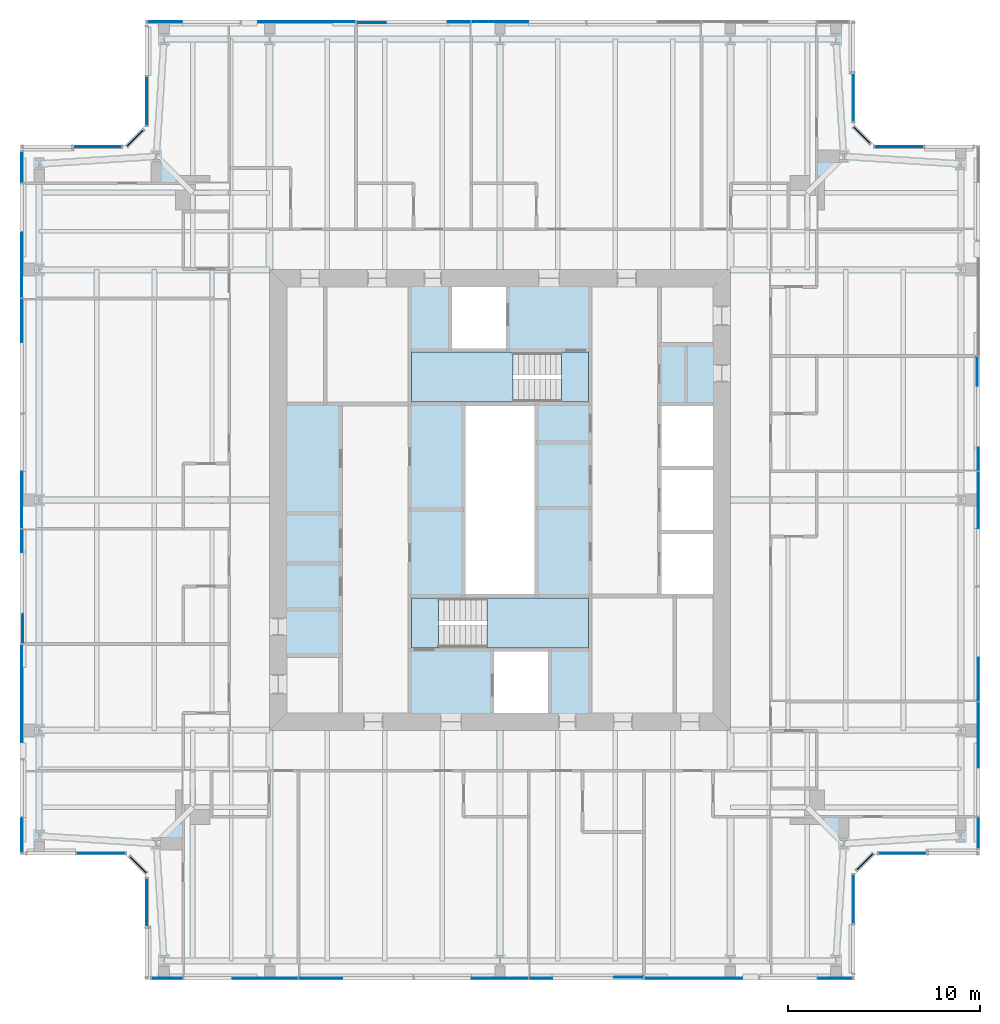
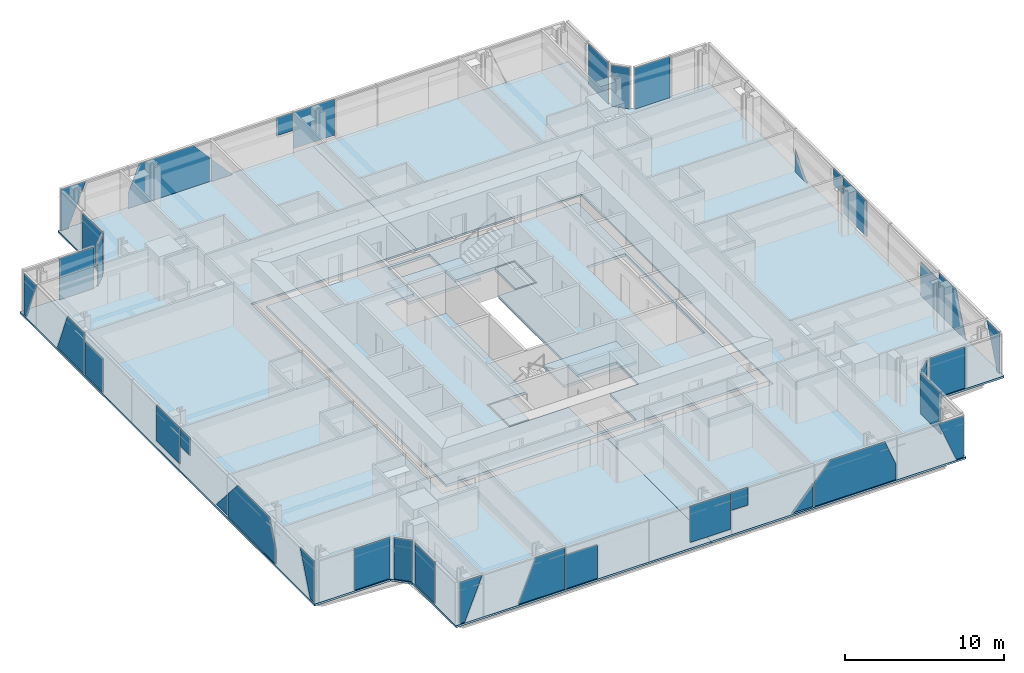
# One storey, part 10 of 20: 39 plates, 7 slabs, 18 elements without a shape of their own.
"""IFC4 building model written with IfcOpenShell, lengths in metres."""

from ifc_helpers import new_model, si_unit, direction, frame, origin, origin_2d, place, context, subcontext, project, spatial, polyline, rectangle, outline, extrude, material, layer, layer_set, type_object, element, aggregate, save


model = new_model("IFC4")

# Units and contexts
model_context = context("Model", 3, precision=1e-05, world=origin(), true_north=direction((0.0, 1.0)))
body_context = subcontext(model_context, "Body", "Model", "MODEL_VIEW")
ifc_project = project(units=[si_unit("LENGTHUNIT", "METRE"), si_unit("AREAUNIT", "SQUARE_METRE"), si_unit("VOLUMEUNIT", "CUBIC_METRE"), si_unit("PLANEANGLEUNIT", "RADIAN"), si_unit("MASSUNIT", "GRAM", prefix="KILO")], contexts=[model_context])

# Site, building, storey
site_placement = place(None, origin())
site = spatial("IfcSite", under=ifc_project, at=site_placement, CompositionType="ELEMENT")
building_placement = place(site_placement, origin())
building = spatial("IfcBuilding", under=site, at=building_placement, Name="Fenwick Lantern Interchange", CompositionType="ELEMENT")
storey_placement = place(building_placement, frame((0.0, 0.0, 259.39990234375)))
storey = spatial("IfcBuildingStorey", under=building, at=storey_placement, Name="L61", CompositionType="ELEMENT", Elevation=259.39990234375)

# Slabs
ifc_material_1 = material(Name="Concrete f'c 35 MPa", Category="concrete")
ifc_layer_1 = layer(ifc_material_1, 0.199951171875)
ifc_layer_set_1 = layer_set([ifc_layer_1], Name="CORE FLOOR SLAB 200")
slab_type_1 = type_object("IfcSlabType", Name="CORE FLOOR SLAB 200", PredefinedType="FLOOR", material=ifc_layer_set_1)
slab_1_placement = place(storey_placement, frame((0.0, 0.0, -0.199951171875)))
element("IfcSlab", 1, at=slab_1_placement, inside=storey, type_object=slab_type_1, Name="L61/SLAB/CORE", PredefinedType="FLOOR", context=body_context, shape_type="SweptSolid", body=[
    extrude(outline(polyline([(13.699951171875, 36.300048828125), (36.300048828125, 36.300048828125), (36.300048828125, 13.699951171875), (13.699951171875, 13.699951171875), (13.699951171875, 36.300048828125)]), holes=[polyline([(24.60009765625, 13.89990234375), (27.60009765625, 13.89990234375), (27.60009765625, 17.199951171875), (29.699951171875, 17.199951171875), (29.699951171875, 20.0), (26.89990234375, 20.0), (26.89990234375, 30.0), (29.699951171875, 30.0), (29.699951171875, 32.800048828125), (25.39990234375, 32.800048828125), (25.39990234375, 36.10009765625), (22.39990234375, 36.10009765625), (22.39990234375, 32.800048828125), (20.300048828125, 32.800048828125), (20.300048828125, 30.0), (23.10009765625, 30.0), (23.10009765625, 20.0), (20.300048828125, 20.0), (20.300048828125, 17.199951171875), (24.60009765625, 17.199951171875), (24.60009765625, 13.89990234375)]), polyline([(33.300048828125, 20.0), (36.10009765625, 20.0), (36.10009765625, 23.333251953125), (36.10009765625, 26.666748046875), (36.10009765625, 30.0), (33.300048828125, 30.0), (33.300048828125, 26.666748046875), (33.300048828125, 23.333251953125), (33.300048828125, 20.0)])]), origin(), (0.0, 0.0, 1.0), 0.199951171875),
])
ifc_material_2 = material(Name="Concrete f'c 35 MPa", Category="concrete")
ifc_layer_2 = layer(ifc_material_2, 0.14990234375)
ifc_layer_set_2 = layer_set([ifc_layer_2], Name="Concrete f'c 35 MPa")
slab_type_2 = type_object("IfcSlabType", Name="FLOOR SLAB 150", PredefinedType="FLOOR", material=ifc_layer_set_2)
slab_2_placement = place(storey_placement, frame((0.0, 0.0, -0.14990234375)))
element("IfcSlab", 2, at=slab_2_placement, inside=storey, type_object=slab_type_2, Name="L61/SLAB/FW", PredefinedType="FLOOR", context=body_context, shape_type="SweptSolid", body=[
    extrude(outline(polyline([(6.5, 0.0), (6.5, 5.5), (5.5, 6.5), (0.0, 6.5), (0.0, 43.5), (5.5, 43.5), (6.5, 44.5), (6.5, 50.0), (25.0, 50.0), (25.0, 37.0), (13.0, 37.0), (13.0, 13.0), (25.0, 13.0), (25.0, 0.0), (6.5, 0.0)])), origin(), (0.0, 0.0, 1.0), 0.14990234375),
])
slab_3_placement = place(storey_placement, frame((0.0, 0.0, -0.14990234375)))
element("IfcSlab", 3, at=slab_3_placement, inside=storey, type_object=slab_type_2, Name="L61/SLAB/FE", PredefinedType="FLOOR", context=body_context, shape_type="SweptSolid", body=[
    extrude(outline(polyline([(43.5, 50.0), (43.5, 44.5), (44.5, 43.5), (50.0, 43.5), (50.0, 6.5), (44.5, 6.5), (43.5, 5.5), (43.5, 0.0), (25.0, 0.0), (25.0, 13.0), (37.0, 13.0), (37.0, 37.0), (25.0, 37.0), (25.0, 50.0), (43.5, 50.0)])), origin(), (0.0, 0.0, 1.0), 0.14990234375),
])

# Curtain wall, plates
ifc_material_3 = material(Name="Aluminium curtain wall frame", Category="aluminium")
curtain_wall_type = type_object("IfcCurtainWallType", Name="HOTEL CURTAIN WALL", PredefinedType="USERDEFINED", material=ifc_material_3)
curtain_wall_1_placement = place(storey_placement, origin())
curtain_wall_1 = element("IfcCurtainWall", 4, at=curtain_wall_1_placement, inside=storey, type_object=curtain_wall_type, Name="Hotel curtain wall 01", ObjectType="HOTEL CURTAIN WALL", PredefinedType="USERDEFINED")
ifc_material_4 = material(Name="Vision glass, acoustic laminated double glazed unit", Category="glass")
ifc_layer_3 = layer(ifc_material_4, 0.052001953125)
ifc_layer_set_3 = layer_set([ifc_layer_3], Name="HOTEL CURTAIN WALL PANEL 52")
plate_type = type_object("IfcPlateType", Name="HOTEL CURTAIN WALL PANEL 52", PredefinedType="CURTAIN_PANEL", material=ifc_layer_set_3)
plate_1_placement = place(storey_placement, frame((6.60009765625, 0.10009765625, 0.0), z_axis=(0.0, 0.0, 1.0), x_axis=(1.0, 0.0, 0.0)))
plate_1 = element("IfcPlate", 5, at=plate_1_placement, type_object=plate_type, Name="L61/CW/01/P00a", PredefinedType="CURTAIN_PANEL", context=body_context, shape_type="SweptSolid", body=[
    extrude(outline(polyline([(0.260009765625, 0.0), (0.578369140625, 0.0), (1.852294921875, 3.150146484375), (0.260009765625, 3.150146484375), (0.260009765625, 0.0)])), frame((0.0, 0.02587890625, 0.0), z_axis=(0.0, -1.0, 0.0), x_axis=(1.0, 0.0, 0.0)), (0.0, 0.0, 1.0), 0.052001953125),
])
plate_2_placement = place(storey_placement, frame((6.60009765625, 0.10009765625, 0.0), z_axis=(0.0, 0.0, 1.0), x_axis=(1.0, 0.0, 0.0)))
plate_2 = element("IfcPlate", 6, at=plate_2_placement, type_object=plate_type, Name="L61/CW/01/P01a", PredefinedType="CURTAIN_PANEL", context=body_context, shape_type="SweptSolid", body=[
    extrude(outline(polyline([(4.461669921875, 0.0), (7.8701171875, 0.0), (7.8701171875, 3.150146484375), (5.735595703125, 3.150146484375), (4.461669921875, 0.0)])), frame((0.0, 0.02587890625, 0.0), z_axis=(0.0, -1.0, 0.0), x_axis=(1.0, 0.0, 0.0)), (0.0, 0.0, 1.0), 0.052001953125),
])
plate_3_placement = place(storey_placement, frame((6.60009765625, 0.10009765625, 0.0), z_axis=(0.0, 0.0, 1.0), x_axis=(1.0, 0.0, 0.0)))
plate_3 = element("IfcPlate", 7, at=plate_3_placement, type_object=plate_type, Name="L61/CW/01/P02a", PredefinedType="CURTAIN_PANEL", context=body_context, shape_type="SweptSolid", body=[
    extrude(outline(polyline([(7.929931640625, 0.0), (10.195068359375, 0.0), (10.195068359375, 2.572509765625), (7.929931640625, 2.572509765625), (7.929931640625, 0.0)])), frame((0.0, 0.02587890625, 0.0), z_axis=(0.0, -1.0, 0.0), x_axis=(1.0, 0.0, 0.0)), (0.0, 0.0, 1.0), 0.052001953125),
])
plate_4_placement = place(storey_placement, frame((6.60009765625, 0.10009765625, 0.384765625), z_axis=(0.0, 0.0, 1.0), x_axis=(1.0, 0.0, 0.0)))
plate_4 = element("IfcPlate", 8, at=plate_4_placement, type_object=plate_type, Name="L61/CW/01/P03a", PredefinedType="CURTAIN_PANEL", context=body_context, shape_type="SweptSolid", body=[
    extrude(outline(polyline([(16.926513671875, 0.0), (19.8701171875, 0.0), (19.8701171875, 2.765380859375), (16.926513671875, 2.765380859375), (16.926513671875, 0.0)])), frame((0.0, 0.02587890625, 0.0), z_axis=(0.0, -1.0, 0.0), x_axis=(1.0, 0.0, 0.0)), (0.0, 0.0, 1.0), 0.052001953125),
])
plate_5_placement = place(storey_placement, frame((6.60009765625, 0.10009765625, 1.79736328125), z_axis=(0.0, 0.0, 1.0), x_axis=(1.0, 0.0, 0.0)))
plate_5 = element("IfcPlate", 9, at=plate_5_placement, type_object=plate_type, Name="L61/CW/01/P04a", PredefinedType="CURTAIN_PANEL", context=body_context, shape_type="SweptSolid", body=[
    extrude(outline(polyline([(19.929931640625, 0.0), (21.1201171875, 0.0), (21.1201171875, 1.352783203125), (19.929931640625, 1.352783203125), (19.929931640625, 0.0)])), frame((0.0, 0.02587890625, 0.0), z_axis=(0.0, -1.0, 0.0), x_axis=(1.0, 0.0, 0.0)), (0.0, 0.0, 1.0), 0.052001953125),
])
plate_6_placement = place(storey_placement, frame((6.60009765625, 0.10009765625, 0.0), z_axis=(0.0, 0.0, 1.0), x_axis=(1.0, 0.0, 0.0)))
plate_6 = element("IfcPlate", 10, at=plate_6_placement, type_object=plate_type, Name="L61/CW/01/P04b", PredefinedType="CURTAIN_PANEL", context=body_context, shape_type="SweptSolid", body=[
    extrude(outline(polyline([(24.335205078125, 0.0), (25.8701171875, 0.0), (25.8701171875, 1.739501953125), (24.335205078125, 0.0)])), frame((0.0, 0.080078125, 0.0), z_axis=(0.0, -1.0, 0.0), x_axis=(1.0, 0.0, 0.0)), (0.0, 0.0, 1.0), 0.052001953125),
])
plate_7_placement = place(storey_placement, frame((6.60009765625, 0.10009765625, 0.0), z_axis=(0.0, 0.0, 1.0), x_axis=(1.0, 0.0, 0.0)))
plate_7 = element("IfcPlate", 11, at=plate_7_placement, type_object=plate_type, Name="L61/CW/01/P05a", PredefinedType="CURTAIN_PANEL", context=body_context, shape_type="SweptSolid", body=[
    extrude(outline(polyline([(25.929931640625, 0.0), (31.8701171875, 0.0), (31.8701171875, 1.158203125), (31.064453125, 3.150146484375), (27.11474609375, 3.150146484375), (25.929931640625, 1.8076171875), (25.929931640625, 0.0)])), frame((0.0, 0.02587890625, 0.0), z_axis=(0.0, -1.0, 0.0), x_axis=(1.0, 0.0, 0.0)), (0.0, 0.0, 1.0), 0.052001953125),
])
plate_8_placement = place(storey_placement, frame((6.60009765625, 0.10009765625, 0.0), z_axis=(0.0, 0.0, 1.0), x_axis=(1.0, 0.0, 0.0)))
plate_8 = element("IfcPlate", 12, at=plate_8_placement, type_object=plate_type, Name="L61/CW/01/P06a", PredefinedType="CURTAIN_PANEL", context=body_context, shape_type="SweptSolid", body=[
    extrude(outline(polyline([(36.221435546875, 0.0), (36.739990234375, 0.0), (36.739990234375, 3.150146484375), (34.94775390625, 3.150146484375), (36.221435546875, 0.0)])), frame((0.0, 0.02587890625, 0.0), z_axis=(0.0, -1.0, 0.0), x_axis=(1.0, 0.0, 0.0)), (0.0, 0.0, 1.0), 0.052001953125),
])
aggregate(curtain_wall_1, [plate_1, plate_2, plate_3, plate_4, plate_5, plate_6, plate_7, plate_8])

# Curtain wall, plate
curtain_wall_2_placement = place(storey_placement, origin())
curtain_wall_2 = element("IfcCurtainWall", 13, at=curtain_wall_2_placement, inside=storey, type_object=curtain_wall_type, Name="Hotel curtain wall 02", ObjectType="HOTEL CURTAIN WALL", PredefinedType="USERDEFINED")
plate_9_placement = place(storey_placement, frame((43.39990234375, 4.216064453125, 0.000244140625), z_axis=(0.0, 0.0, 1.0), x_axis=(0.0, 1.0, 0.0)))
plate_9 = element("IfcPlate", 14, at=plate_9_placement, type_object=plate_type, Name="L61/CW/02/P01", PredefinedType="CURTAIN_PANEL", context=body_context, shape_type="SweptSolid", body=[
    extrude(rectangle(XDim=2.53076171875, YDim=0.052001953125, at=origin_2d()), origin(), (0.0, 0.0, 1.0), 3.14990234375),
])
aggregate(curtain_wall_2, [plate_9])

curtain_wall_3_placement = place(storey_placement, origin())
curtain_wall_3 = element("IfcCurtainWall", 15, at=curtain_wall_3_placement, inside=storey, type_object=curtain_wall_type, Name="Hotel curtain wall 03", ObjectType="HOTEL CURTAIN WALL", PredefinedType="USERDEFINED")
plate_10_placement = place(storey_placement, frame((44.0, 6.141357421875, 0.000244140625), z_axis=(0.0, 0.0, 1.0), x_axis=(0.707106781187, 0.707106781187, 0.0)))
plate_10 = element("IfcPlate", 16, at=plate_10_placement, type_object=plate_type, Name="L61/CW/03/P00", PredefinedType="CURTAIN_PANEL", context=body_context, shape_type="SweptSolid", body=[
    extrude(rectangle(XDim=1.177001953125, YDim=0.052001953125, at=origin_2d()), origin(), (0.0, 0.0, 1.0), 3.14990234375),
])
aggregate(curtain_wall_3, [plate_10])

curtain_wall_4_placement = place(storey_placement, origin())
curtain_wall_4 = element("IfcCurtainWall", 17, at=curtain_wall_4_placement, inside=storey, type_object=curtain_wall_type, Name="Hotel curtain wall 04", ObjectType="HOTEL CURTAIN WALL", PredefinedType="USERDEFINED")
plate_11_placement = place(storey_placement, frame((44.45849609375, 6.60009765625, 0.0), z_axis=(0.0, 0.0, 1.0), x_axis=(1.0, 0.0, 0.0)))
plate_11 = element("IfcPlate", 18, at=plate_11_placement, type_object=plate_type, Name="L61/CW/04/P00a", PredefinedType="CURTAIN_PANEL", context=body_context, shape_type="SweptSolid", body=[
    extrude(outline(polyline([(0.260009765625, 0.0), (2.741455078125, 0.0), (2.741455078125, 3.150146484375), (0.260009765625, 3.150146484375), (0.260009765625, 0.0)])), frame((0.0, 0.02587890625, 0.0), z_axis=(0.0, -1.0, 0.0), x_axis=(1.0, 0.0, 0.0)), (0.0, 0.0, 1.0), 0.052001953125),
])
aggregate(curtain_wall_4, [plate_11])

# Curtain wall, plates
curtain_wall_5_placement = place(storey_placement, origin())
curtain_wall_5 = element("IfcCurtainWall", 19, at=curtain_wall_5_placement, inside=storey, type_object=curtain_wall_type, Name="Hotel curtain wall 05", ObjectType="HOTEL CURTAIN WALL", PredefinedType="USERDEFINED")
plate_12_placement = place(storey_placement, frame((49.89990234375, 6.60009765625, 0.0), z_axis=(0.0, 0.0, 1.0), x_axis=(0.0, 1.0, 0.0)))
plate_12 = element("IfcPlate", 20, at=plate_12_placement, type_object=plate_type, Name="L61/CW/05/P00a", PredefinedType="CURTAIN_PANEL", context=body_context, shape_type="SweptSolid", body=[
    extrude(outline(polyline([(0.260009765625, 0.0), (0.578369140625, 0.0), (1.852294921875, 3.150146484375), (0.260009765625, 3.150146484375), (0.260009765625, 0.0)])), frame((0.0, 0.02587890625, 0.0), z_axis=(0.0, -1.0, 0.0), x_axis=(1.0, 0.0, 0.0)), (0.0, 0.0, 1.0), 0.052001953125),
])
plate_13_placement = place(storey_placement, frame((49.89990234375, 6.60009765625, 0.0), z_axis=(0.0, 0.0, 1.0), x_axis=(0.0, 1.0, 0.0)))
plate_13 = element("IfcPlate", 21, at=plate_13_placement, type_object=plate_type, Name="L61/CW/05/P01a", PredefinedType="CURTAIN_PANEL", context=body_context, shape_type="SweptSolid", body=[
    extrude(outline(polyline([(4.461669921875, 0.0), (7.8701171875, 0.0), (7.8701171875, 3.150146484375), (5.735595703125, 3.150146484375), (4.461669921875, 0.0)])), frame((0.0, 0.02587890625, 0.0), z_axis=(0.0, -1.0, 0.0), x_axis=(1.0, 0.0, 0.0)), (0.0, 0.0, 1.0), 0.052001953125),
])
plate_14_placement = place(storey_placement, frame((49.89990234375, 6.60009765625, 0.0), z_axis=(0.0, 0.0, 1.0), x_axis=(0.0, 1.0, 0.0)))
plate_14 = element("IfcPlate", 22, at=plate_14_placement, type_object=plate_type, Name="L61/CW/05/P02a", PredefinedType="CURTAIN_PANEL", context=body_context, shape_type="SweptSolid", body=[
    extrude(outline(polyline([(7.929931640625, 0.0), (10.195068359375, 0.0), (10.195068359375, 2.572509765625), (7.929931640625, 2.572509765625), (7.929931640625, 0.0)])), frame((0.0, 0.02587890625, 0.0), z_axis=(0.0, -1.0, 0.0), x_axis=(1.0, 0.0, 0.0)), (0.0, 0.0, 1.0), 0.052001953125),
])
plate_15_placement = place(storey_placement, frame((49.89990234375, 6.60009765625, 0.384765625), z_axis=(0.0, 0.0, 1.0), x_axis=(0.0, 1.0, 0.0)))
plate_15 = element("IfcPlate", 23, at=plate_15_placement, type_object=plate_type, Name="L61/CW/05/P03a", PredefinedType="CURTAIN_PANEL", context=body_context, shape_type="SweptSolid", body=[
    extrude(outline(polyline([(16.926513671875, 0.0), (19.8701171875, 0.0), (19.8701171875, 2.765380859375), (16.926513671875, 2.765380859375), (16.926513671875, 0.0)])), frame((0.0, 0.02587890625, 0.0), z_axis=(0.0, -1.0, 0.0), x_axis=(1.0, 0.0, 0.0)), (0.0, 0.0, 1.0), 0.052001953125),
])
plate_16_placement = place(storey_placement, frame((49.89990234375, 6.60009765625, 1.79736328125), z_axis=(0.0, 0.0, 1.0), x_axis=(0.0, 1.0, 0.0)))
plate_16 = element("IfcPlate", 24, at=plate_16_placement, type_object=plate_type, Name="L61/CW/05/P04a", PredefinedType="CURTAIN_PANEL", context=body_context, shape_type="SweptSolid", body=[
    extrude(outline(polyline([(19.929931640625, 0.0), (21.1201171875, 0.0), (21.1201171875, 1.352783203125), (19.929931640625, 1.352783203125), (19.929931640625, 0.0)])), frame((0.0, 0.02587890625, 0.0), z_axis=(0.0, -1.0, 0.0), x_axis=(1.0, 0.0, 0.0)), (0.0, 0.0, 1.0), 0.052001953125),
])
plate_17_placement = place(storey_placement, frame((49.89990234375, 6.60009765625, 0.0), z_axis=(0.0, 0.0, 1.0), x_axis=(0.0, 1.0, 0.0)))
plate_17 = element("IfcPlate", 25, at=plate_17_placement, type_object=plate_type, Name="L61/CW/05/P04b", PredefinedType="CURTAIN_PANEL", context=body_context, shape_type="SweptSolid", body=[
    extrude(outline(polyline([(24.335205078125, 0.0), (25.8701171875, 0.0), (25.8701171875, 1.739501953125), (24.335205078125, 0.0)])), frame((0.0, 0.080078125, 0.0), z_axis=(0.0, -1.0, 0.0), x_axis=(1.0, 0.0, 0.0)), (0.0, 0.0, 1.0), 0.052001953125),
])
aggregate(curtain_wall_5, [plate_12, plate_13, plate_14, plate_15, plate_16, plate_17])

# Curtain wall, plate
curtain_wall_6_placement = place(storey_placement, origin())
curtain_wall_6 = element("IfcCurtainWall", 26, at=curtain_wall_6_placement, inside=storey, type_object=curtain_wall_type, Name="Hotel curtain wall 06", ObjectType="HOTEL CURTAIN WALL", PredefinedType="USERDEFINED")
plate_18_placement = place(storey_placement, frame((45.783935546875, 43.39990234375, 0.000244140625), z_axis=(0.0, 0.0, 1.0), x_axis=(-1.0, 0.0, 0.0)))
plate_18 = element("IfcPlate", 27, at=plate_18_placement, type_object=plate_type, Name="L61/CW/06/P01", PredefinedType="CURTAIN_PANEL", context=body_context, shape_type="SweptSolid", body=[
    extrude(rectangle(XDim=2.53076171875, YDim=0.052001953125, at=origin_2d()), origin(), (0.0, 0.0, 1.0), 3.14990234375),
])
aggregate(curtain_wall_6, [plate_18])

curtain_wall_7_placement = place(storey_placement, origin())
curtain_wall_7 = element("IfcCurtainWall", 28, at=curtain_wall_7_placement, inside=storey, type_object=curtain_wall_type, Name="Hotel curtain wall 07", ObjectType="HOTEL CURTAIN WALL", PredefinedType="USERDEFINED")
plate_19_placement = place(storey_placement, frame((43.858642578125, 44.0, 0.000244140625), z_axis=(0.0, 0.0, 1.0), x_axis=(-0.707106781187, 0.707106781187, 0.0)))
plate_19 = element("IfcPlate", 29, at=plate_19_placement, type_object=plate_type, Name="L61/CW/07/P00", PredefinedType="CURTAIN_PANEL", context=body_context, shape_type="SweptSolid", body=[
    extrude(rectangle(XDim=1.177001953125, YDim=0.052001953125, at=origin_2d()), origin(), (0.0, 0.0, 1.0), 3.14990234375),
])
aggregate(curtain_wall_7, [plate_19])

curtain_wall_8_placement = place(storey_placement, origin())
curtain_wall_8 = element("IfcCurtainWall", 30, at=curtain_wall_8_placement, inside=storey, type_object=curtain_wall_type, Name="Hotel curtain wall 08", ObjectType="HOTEL CURTAIN WALL", PredefinedType="USERDEFINED")
plate_20_placement = place(storey_placement, frame((43.39990234375, 44.45849609375, 0.0), z_axis=(0.0, 0.0, 1.0), x_axis=(0.0, 1.0, 0.0)))
plate_20 = element("IfcPlate", 31, at=plate_20_placement, type_object=plate_type, Name="L61/CW/08/P00a", PredefinedType="CURTAIN_PANEL", context=body_context, shape_type="SweptSolid", body=[
    extrude(outline(polyline([(0.260009765625, 0.0), (2.741455078125, 0.0), (2.741455078125, 3.150146484375), (0.260009765625, 3.150146484375), (0.260009765625, 0.0)])), frame((0.0, 0.02587890625, 0.0), z_axis=(0.0, -1.0, 0.0), x_axis=(1.0, 0.0, 0.0)), (0.0, 0.0, 1.0), 0.052001953125),
])
aggregate(curtain_wall_8, [plate_20])

# Curtain wall, plates
curtain_wall_9_placement = place(storey_placement, origin())
curtain_wall_9 = element("IfcCurtainWall", 32, at=curtain_wall_9_placement, inside=storey, type_object=curtain_wall_type, Name="Hotel curtain wall 09", ObjectType="HOTEL CURTAIN WALL", PredefinedType="USERDEFINED")
plate_21_placement = place(storey_placement, frame((43.39990234375, 49.89990234375, 0.384765625), z_axis=(0.0, 0.0, 1.0), x_axis=(-1.0, 0.0, 0.0)))
plate_21 = element("IfcPlate", 33, at=plate_21_placement, type_object=plate_type, Name="L61/CW/09/P03a", PredefinedType="CURTAIN_PANEL", context=body_context, shape_type="SweptSolid", body=[
    extrude(outline(polyline([(16.926513671875, 0.0), (19.8701171875, 0.0), (19.8701171875, 2.765380859375), (16.926513671875, 2.765380859375), (16.926513671875, 0.0)])), frame((0.0, 0.02587890625, 0.0), z_axis=(0.0, -1.0, 0.0), x_axis=(1.0, 0.0, 0.0)), (0.0, 0.0, 1.0), 0.052001953125),
])
plate_22_placement = place(storey_placement, frame((43.39990234375, 49.89990234375, 1.79736328125), z_axis=(0.0, 0.0, 1.0), x_axis=(-1.0, 0.0, 0.0)))
plate_22 = element("IfcPlate", 34, at=plate_22_placement, type_object=plate_type, Name="L61/CW/09/P04a", PredefinedType="CURTAIN_PANEL", context=body_context, shape_type="SweptSolid", body=[
    extrude(outline(polyline([(19.929931640625, 0.0), (21.1201171875, 0.0), (21.1201171875, 1.352783203125), (19.929931640625, 1.352783203125), (19.929931640625, 0.0)])), frame((0.0, 0.02587890625, 0.0), z_axis=(0.0, -1.0, 0.0), x_axis=(1.0, 0.0, 0.0)), (0.0, 0.0, 1.0), 0.052001953125),
])
plate_23_placement = place(storey_placement, frame((43.39990234375, 49.89990234375, 0.0), z_axis=(0.0, 0.0, 1.0), x_axis=(-1.0, 0.0, 0.0)))
plate_23 = element("IfcPlate", 35, at=plate_23_placement, type_object=plate_type, Name="L61/CW/09/P04b", PredefinedType="CURTAIN_PANEL", context=body_context, shape_type="SweptSolid", body=[
    extrude(outline(polyline([(24.335205078125, 0.0), (25.8701171875, 0.0), (25.8701171875, 1.739501953125), (24.335205078125, 0.0)])), frame((0.0, 0.080078125, 0.0), z_axis=(0.0, -1.0, 0.0), x_axis=(1.0, 0.0, 0.0)), (0.0, 0.0, 1.0), 0.052001953125),
])
plate_24_placement = place(storey_placement, frame((43.39990234375, 49.89990234375, 0.0), z_axis=(0.0, 0.0, 1.0), x_axis=(-1.0, 0.0, 0.0)))
plate_24 = element("IfcPlate", 36, at=plate_24_placement, type_object=plate_type, Name="L61/CW/09/P05a", PredefinedType="CURTAIN_PANEL", context=body_context, shape_type="SweptSolid", body=[
    extrude(outline(polyline([(25.929931640625, 0.0), (31.8701171875, 0.0), (31.8701171875, 1.158203125), (31.064453125, 3.150146484375), (27.11474609375, 3.150146484375), (25.929931640625, 1.8076171875), (25.929931640625, 0.0)])), frame((0.0, 0.02587890625, 0.0), z_axis=(0.0, -1.0, 0.0), x_axis=(1.0, 0.0, 0.0)), (0.0, 0.0, 1.0), 0.052001953125),
])
plate_25_placement = place(storey_placement, frame((43.39990234375, 49.89990234375, 0.0), z_axis=(0.0, 0.0, 1.0), x_axis=(-1.0, 0.0, 0.0)))
plate_25 = element("IfcPlate", 37, at=plate_25_placement, type_object=plate_type, Name="L61/CW/09/P06a", PredefinedType="CURTAIN_PANEL", context=body_context, shape_type="SweptSolid", body=[
    extrude(outline(polyline([(36.221435546875, 0.0), (36.739990234375, 0.0), (36.739990234375, 3.150146484375), (34.94775390625, 3.150146484375), (36.221435546875, 0.0)])), frame((0.0, 0.02587890625, 0.0), z_axis=(0.0, -1.0, 0.0), x_axis=(1.0, 0.0, 0.0)), (0.0, 0.0, 1.0), 0.052001953125),
])
aggregate(curtain_wall_9, [plate_21, plate_22, plate_23, plate_24, plate_25])

# Curtain wall, plate
curtain_wall_10_placement = place(storey_placement, origin())
curtain_wall_10 = element("IfcCurtainWall", 38, at=curtain_wall_10_placement, inside=storey, type_object=curtain_wall_type, Name="Hotel curtain wall 10", ObjectType="HOTEL CURTAIN WALL", PredefinedType="USERDEFINED")
plate_26_placement = place(storey_placement, frame((6.60009765625, 45.783935546875, 0.000244140625), z_axis=(0.0, 0.0, 1.0), x_axis=(0.0, -1.0, 0.0)))
plate_26 = element("IfcPlate", 39, at=plate_26_placement, type_object=plate_type, Name="L61/CW/10/P01", PredefinedType="CURTAIN_PANEL", context=body_context, shape_type="SweptSolid", body=[
    extrude(rectangle(XDim=2.53076171875, YDim=0.052001953125, at=origin_2d()), origin(), (0.0, 0.0, 1.0), 3.14990234375),
])
aggregate(curtain_wall_10, [plate_26])

curtain_wall_11_placement = place(storey_placement, origin())
curtain_wall_11 = element("IfcCurtainWall", 40, at=curtain_wall_11_placement, inside=storey, type_object=curtain_wall_type, Name="Hotel curtain wall 11", ObjectType="HOTEL CURTAIN WALL", PredefinedType="USERDEFINED")
plate_27_placement = place(storey_placement, frame((6.0, 43.858642578125, 0.000244140625), z_axis=(0.0, 0.0, 1.0), x_axis=(-0.707106781187, -0.707106781187, 0.0)))
plate_27 = element("IfcPlate", 41, at=plate_27_placement, type_object=plate_type, Name="L61/CW/11/P00", PredefinedType="CURTAIN_PANEL", context=body_context, shape_type="SweptSolid", body=[
    extrude(rectangle(XDim=1.177001953125, YDim=0.052001953125, at=origin_2d()), origin(), (0.0, 0.0, 1.0), 3.14990234375),
])
aggregate(curtain_wall_11, [plate_27])

curtain_wall_12_placement = place(storey_placement, origin())
curtain_wall_12 = element("IfcCurtainWall", 42, at=curtain_wall_12_placement, inside=storey, type_object=curtain_wall_type, Name="Hotel curtain wall 12", ObjectType="HOTEL CURTAIN WALL", PredefinedType="USERDEFINED")
plate_28_placement = place(storey_placement, frame((5.54150390625, 43.39990234375, 0.0), z_axis=(0.0, 0.0, 1.0), x_axis=(-1.0, 0.0, 0.0)))
plate_28 = element("IfcPlate", 43, at=plate_28_placement, type_object=plate_type, Name="L61/CW/12/P00a", PredefinedType="CURTAIN_PANEL", context=body_context, shape_type="SweptSolid", body=[
    extrude(outline(polyline([(0.260009765625, 0.0), (2.741455078125, 0.0), (2.741455078125, 3.150146484375), (0.260009765625, 3.150146484375), (0.260009765625, 0.0)])), frame((0.0, 0.02587890625, 0.0), z_axis=(0.0, -1.0, 0.0), x_axis=(1.0, 0.0, 0.0)), (0.0, 0.0, 1.0), 0.052001953125),
])
aggregate(curtain_wall_12, [plate_28])

# Curtain wall, plates
curtain_wall_13_placement = place(storey_placement, origin())
curtain_wall_13 = element("IfcCurtainWall", 44, at=curtain_wall_13_placement, inside=storey, type_object=curtain_wall_type, Name="Hotel curtain wall 13", ObjectType="HOTEL CURTAIN WALL", PredefinedType="USERDEFINED")
plate_29_placement = place(storey_placement, frame((0.10009765625, 43.39990234375, 0.0), z_axis=(0.0, 0.0, 1.0), x_axis=(0.0, -1.0, 0.0)))
plate_29 = element("IfcPlate", 45, at=plate_29_placement, type_object=plate_type, Name="L61/CW/13/P00a", PredefinedType="CURTAIN_PANEL", context=body_context, shape_type="SweptSolid", body=[
    extrude(outline(polyline([(0.260009765625, 0.0), (0.578369140625, 0.0), (1.852294921875, 3.150146484375), (0.260009765625, 3.150146484375), (0.260009765625, 0.0)])), frame((0.0, 0.02587890625, 0.0), z_axis=(0.0, -1.0, 0.0), x_axis=(1.0, 0.0, 0.0)), (0.0, 0.0, 1.0), 0.052001953125),
])
plate_30_placement = place(storey_placement, frame((0.10009765625, 43.39990234375, 0.0), z_axis=(0.0, 0.0, 1.0), x_axis=(0.0, -1.0, 0.0)))
plate_30 = element("IfcPlate", 46, at=plate_30_placement, type_object=plate_type, Name="L61/CW/13/P01a", PredefinedType="CURTAIN_PANEL", context=body_context, shape_type="SweptSolid", body=[
    extrude(outline(polyline([(4.461669921875, 0.0), (7.8701171875, 0.0), (7.8701171875, 3.150146484375), (5.735595703125, 3.150146484375), (4.461669921875, 0.0)])), frame((0.0, 0.02587890625, 0.0), z_axis=(0.0, -1.0, 0.0), x_axis=(1.0, 0.0, 0.0)), (0.0, 0.0, 1.0), 0.052001953125),
])
plate_31_placement = place(storey_placement, frame((0.10009765625, 43.39990234375, 0.0), z_axis=(0.0, 0.0, 1.0), x_axis=(0.0, -1.0, 0.0)))
plate_31 = element("IfcPlate", 47, at=plate_31_placement, type_object=plate_type, Name="L61/CW/13/P02a", PredefinedType="CURTAIN_PANEL", context=body_context, shape_type="SweptSolid", body=[
    extrude(outline(polyline([(7.929931640625, 0.0), (10.195068359375, 0.0), (10.195068359375, 2.572509765625), (7.929931640625, 2.572509765625), (7.929931640625, 0.0)])), frame((0.0, 0.02587890625, 0.0), z_axis=(0.0, -1.0, 0.0), x_axis=(1.0, 0.0, 0.0)), (0.0, 0.0, 1.0), 0.052001953125),
])
plate_32_placement = place(storey_placement, frame((0.10009765625, 43.39990234375, 0.384765625), z_axis=(0.0, 0.0, 1.0), x_axis=(0.0, -1.0, 0.0)))
plate_32 = element("IfcPlate", 48, at=plate_32_placement, type_object=plate_type, Name="L61/CW/13/P03a", PredefinedType="CURTAIN_PANEL", context=body_context, shape_type="SweptSolid", body=[
    extrude(outline(polyline([(16.926513671875, 0.0), (19.8701171875, 0.0), (19.8701171875, 2.765380859375), (16.926513671875, 2.765380859375), (16.926513671875, 0.0)])), frame((0.0, 0.02587890625, 0.0), z_axis=(0.0, -1.0, 0.0), x_axis=(1.0, 0.0, 0.0)), (0.0, 0.0, 1.0), 0.052001953125),
])
plate_33_placement = place(storey_placement, frame((0.10009765625, 43.39990234375, 1.79736328125), z_axis=(0.0, 0.0, 1.0), x_axis=(0.0, -1.0, 0.0)))
plate_33 = element("IfcPlate", 49, at=plate_33_placement, type_object=plate_type, Name="L61/CW/13/P04a", PredefinedType="CURTAIN_PANEL", context=body_context, shape_type="SweptSolid", body=[
    extrude(outline(polyline([(19.929931640625, 0.0), (21.1201171875, 0.0), (21.1201171875, 1.352783203125), (19.929931640625, 1.352783203125), (19.929931640625, 0.0)])), frame((0.0, 0.02587890625, 0.0), z_axis=(0.0, -1.0, 0.0), x_axis=(1.0, 0.0, 0.0)), (0.0, 0.0, 1.0), 0.052001953125),
])
plate_34_placement = place(storey_placement, frame((0.10009765625, 43.39990234375, 0.0), z_axis=(0.0, 0.0, 1.0), x_axis=(0.0, -1.0, 0.0)))
plate_34 = element("IfcPlate", 50, at=plate_34_placement, type_object=plate_type, Name="L61/CW/13/P04b", PredefinedType="CURTAIN_PANEL", context=body_context, shape_type="SweptSolid", body=[
    extrude(outline(polyline([(24.335205078125, 0.0), (25.8701171875, 0.0), (25.8701171875, 1.739501953125), (24.335205078125, 0.0)])), frame((0.0, 0.080078125, 0.0), z_axis=(0.0, -1.0, 0.0), x_axis=(1.0, 0.0, 0.0)), (0.0, 0.0, 1.0), 0.052001953125),
])
plate_35_placement = place(storey_placement, frame((0.10009765625, 43.39990234375, 0.0), z_axis=(0.0, 0.0, 1.0), x_axis=(0.0, -1.0, 0.0)))
plate_35 = element("IfcPlate", 51, at=plate_35_placement, type_object=plate_type, Name="L61/CW/13/P05a", PredefinedType="CURTAIN_PANEL", context=body_context, shape_type="SweptSolid", body=[
    extrude(outline(polyline([(25.929931640625, 0.0), (31.8701171875, 0.0), (31.8701171875, 1.158203125), (31.064453125, 3.150146484375), (27.11474609375, 3.150146484375), (25.929931640625, 1.8076171875), (25.929931640625, 0.0)])), frame((0.0, 0.02587890625, 0.0), z_axis=(0.0, -1.0, 0.0), x_axis=(1.0, 0.0, 0.0)), (0.0, 0.0, 1.0), 0.052001953125),
])
plate_36_placement = place(storey_placement, frame((0.10009765625, 43.39990234375, 0.0), z_axis=(0.0, 0.0, 1.0), x_axis=(0.0, -1.0, 0.0)))
plate_36 = element("IfcPlate", 52, at=plate_36_placement, type_object=plate_type, Name="L61/CW/13/P06a", PredefinedType="CURTAIN_PANEL", context=body_context, shape_type="SweptSolid", body=[
    extrude(outline(polyline([(36.221435546875, 0.0), (36.739990234375, 0.0), (36.739990234375, 3.150146484375), (34.94775390625, 3.150146484375), (36.221435546875, 0.0)])), frame((0.0, 0.02587890625, 0.0), z_axis=(0.0, -1.0, 0.0), x_axis=(1.0, 0.0, 0.0)), (0.0, 0.0, 1.0), 0.052001953125),
])
aggregate(curtain_wall_13, [plate_29, plate_30, plate_31, plate_32, plate_33, plate_34, plate_35, plate_36])

# Curtain wall, plate
curtain_wall_14_placement = place(storey_placement, origin())
curtain_wall_14 = element("IfcCurtainWall", 53, at=curtain_wall_14_placement, inside=storey, type_object=curtain_wall_type, Name="Hotel curtain wall 14", ObjectType="HOTEL CURTAIN WALL", PredefinedType="USERDEFINED")
plate_37_placement = place(storey_placement, frame((4.216064453125, 6.60009765625, 0.000244140625), z_axis=(0.0, 0.0, 1.0), x_axis=(1.0, 0.0, 0.0)))
plate_37 = element("IfcPlate", 54, at=plate_37_placement, type_object=plate_type, Name="L61/CW/14/P01", PredefinedType="CURTAIN_PANEL", context=body_context, shape_type="SweptSolid", body=[
    extrude(rectangle(XDim=2.53076171875, YDim=0.052001953125, at=origin_2d()), origin(), (0.0, 0.0, 1.0), 3.14990234375),
])
aggregate(curtain_wall_14, [plate_37])

curtain_wall_15_placement = place(storey_placement, origin())
curtain_wall_15 = element("IfcCurtainWall", 55, at=curtain_wall_15_placement, inside=storey, type_object=curtain_wall_type, Name="Hotel curtain wall 15", ObjectType="HOTEL CURTAIN WALL", PredefinedType="USERDEFINED")
plate_38_placement = place(storey_placement, frame((6.141357421875, 6.0, 0.000244140625), z_axis=(0.0, 0.0, 1.0), x_axis=(0.707106781187, -0.707106781187, 0.0)))
plate_38 = element("IfcPlate", 56, at=plate_38_placement, type_object=plate_type, Name="L61/CW/15/P00", PredefinedType="CURTAIN_PANEL", context=body_context, shape_type="SweptSolid", body=[
    extrude(rectangle(XDim=1.177001953125, YDim=0.052001953125, at=origin_2d()), origin(), (0.0, 0.0, 1.0), 3.14990234375),
])
aggregate(curtain_wall_15, [plate_38])

curtain_wall_16_placement = place(storey_placement, origin())
curtain_wall_16 = element("IfcCurtainWall", 57, at=curtain_wall_16_placement, inside=storey, type_object=curtain_wall_type, Name="Hotel curtain wall 16", ObjectType="HOTEL CURTAIN WALL", PredefinedType="USERDEFINED")
plate_39_placement = place(storey_placement, frame((6.60009765625, 5.54150390625, 0.0), z_axis=(0.0, 0.0, 1.0), x_axis=(0.0, -1.0, 0.0)))
plate_39 = element("IfcPlate", 58, at=plate_39_placement, type_object=plate_type, Name="L61/CW/16/P00a", PredefinedType="CURTAIN_PANEL", context=body_context, shape_type="SweptSolid", body=[
    extrude(outline(polyline([(0.260009765625, 0.0), (2.741455078125, 0.0), (2.741455078125, 3.150146484375), (0.260009765625, 3.150146484375), (0.260009765625, 0.0)])), frame((0.0, 0.02587890625, 0.0), z_axis=(0.0, -1.0, 0.0), x_axis=(1.0, 0.0, 0.0)), (0.0, 0.0, 1.0), 0.052001953125),
])
aggregate(curtain_wall_16, [plate_39])

# Stair, slabs
ifc_material_5 = material(Name="Precast concrete f'c 35 MPa", Category="concrete")
stair_type = type_object("IfcStairType", Name="EXIT STAIR 1200", PredefinedType="HALF_TURN_STAIR", material=ifc_material_5)
stair_1_placement = place(storey_placement, origin())
stair_1 = element("IfcStair", 59, at=stair_1_placement, inside=storey, type_object=stair_type, Name="Exit stair ST1", PredefinedType="HALF_TURN_STAIR")
ifc_layer_4 = layer(ifc_material_1, 0.199951171875)
ifc_layer_set_4 = layer_set([ifc_layer_4], Name="STAIR LANDING 200")
slab_type_3 = type_object("IfcSlabType", Name="STAIR LANDING 200", PredefinedType="LANDING", material=ifc_layer_set_4)
slab_4_placement = place(storey_placement, frame((0.0, 0.0, 1.5)))
slab_4 = element("IfcSlab", 60, at=slab_4_placement, type_object=slab_type_3, Name="ST1 landing 1", PredefinedType="LANDING", context=body_context, shape_type="SweptSolid", body=[
    extrude(outline(polyline([(24.320068359375, 17.300048828125), (29.60009765625, 17.300048828125), (29.60009765625, 19.89990234375), (24.320068359375, 19.89990234375), (24.320068359375, 17.300048828125)])), origin(), (0.0, 0.0, 1.0), 0.2001953125),
])
slab_5_placement = place(storey_placement, frame((0.0, 0.0, -0.199951171875)))
slab_5 = element("IfcSlab", 61, at=slab_5_placement, type_object=slab_type_3, Name="ST1 landing 2", PredefinedType="LANDING", context=body_context, shape_type="SweptSolid", body=[
    extrude(outline(polyline([(20.39990234375, 17.300048828125), (21.800048828125, 17.300048828125), (21.800048828125, 19.89990234375), (20.39990234375, 19.89990234375), (20.39990234375, 17.300048828125)])), origin(), (0.0, 0.0, 1.0), 0.199951171875),
])
aggregate(stair_1, [slab_4, slab_5])

stair_2_placement = place(storey_placement, origin())
stair_2 = element("IfcStair", 62, at=stair_2_placement, inside=storey, type_object=stair_type, Name="Exit stair ST2", PredefinedType="HALF_TURN_STAIR")
slab_6_placement = place(storey_placement, frame((0.0, 0.0, 1.5)))
slab_6 = element("IfcSlab", 63, at=slab_6_placement, type_object=slab_type_3, Name="ST2 landing 1", PredefinedType="LANDING", context=body_context, shape_type="SweptSolid", body=[
    extrude(outline(polyline([(25.679931640625, 32.699951171875), (20.39990234375, 32.699951171875), (20.39990234375, 30.10009765625), (25.679931640625, 30.10009765625), (25.679931640625, 32.699951171875)])), origin(), (0.0, 0.0, 1.0), 0.2001953125),
])
slab_7_placement = place(storey_placement, frame((0.0, 0.0, -0.199951171875)))
slab_7 = element("IfcSlab", 64, at=slab_7_placement, type_object=slab_type_3, Name="ST2 landing 2", PredefinedType="LANDING", context=body_context, shape_type="SweptSolid", body=[
    extrude(outline(polyline([(29.60009765625, 32.699951171875), (28.199951171875, 32.699951171875), (28.199951171875, 30.10009765625), (29.60009765625, 30.10009765625), (29.60009765625, 32.699951171875)])), origin(), (0.0, 0.0, 1.0), 0.199951171875),
])
aggregate(stair_2, [slab_6, slab_7])

save(model, "model.ifc")
